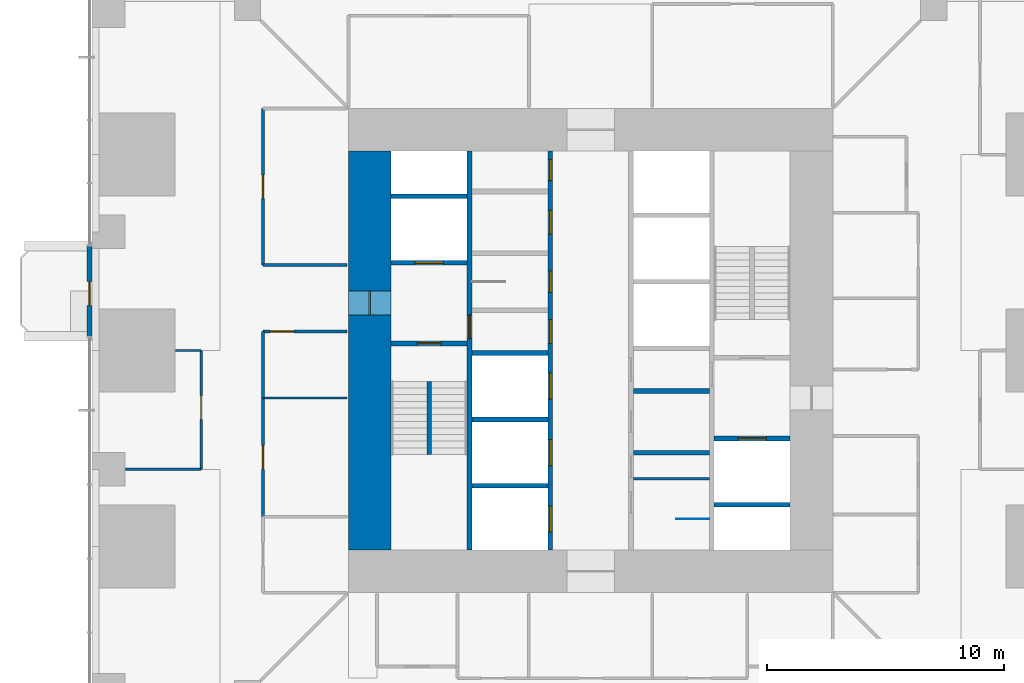
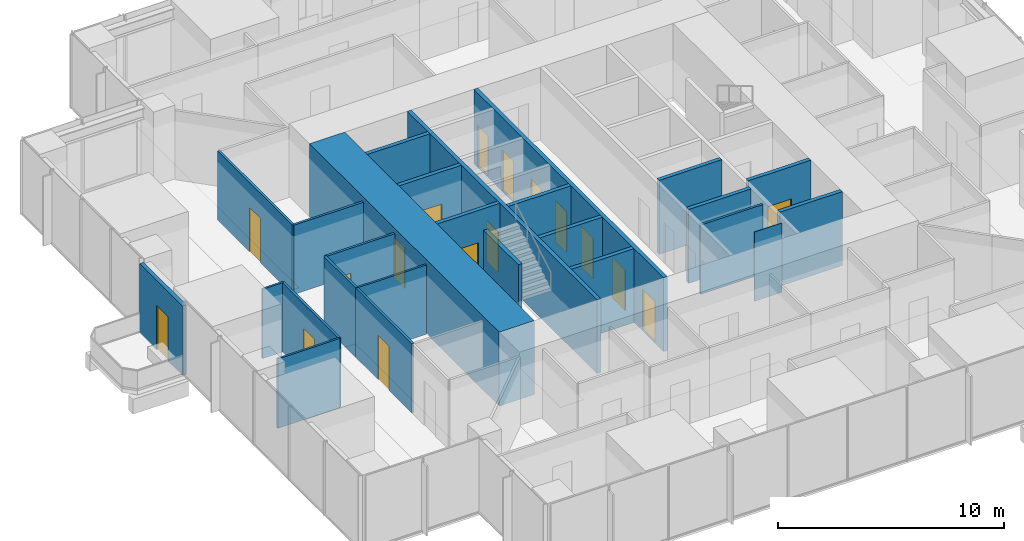
# One storey, part 10 of 16: 26 walls, 17 doors, 17 openings.
"""IFC4 building model written with IfcOpenShell, lengths in metres."""

import ifcopenshell
import ifcopenshell.guid

model = None  # the IFC model being written
_history = None  # IfcOwnerHistory: only IFC2X3 demands one
_inside = {}  # id of a spatial element -> (the spatial element, [elements in it])
_under = {}  # id of a project, library or spatial element -> (it, [spatial elements below it])
_declared = {}  # id of a project -> (the project, [libraries it declares])
_typed = {}  # id of a type object -> (the type object, [elements of that type])
_made_of = {}  # id of a material, layer set ... -> (it, [elements and type objects made of it])


def new_model(schema):
    """Start an empty IFC model of exactly this schema.

    Asked for "IFC4X3", IfcOpenShell would pick the latest addendum, in which some entities
    have other attributes; the version numbers below select the first issue.
    IFC2X3 requires an IfcOwnerHistory on every rooted entity: one is made here for all.
    """
    global model, _history
    if schema == "IFC4X3":
        model = ifcopenshell.file(schema_version=(4, 3, 0, 0))
    else:
        model = ifcopenshell.file(schema=schema)
    _inside.clear()
    _under.clear()
    _declared.clear()
    _typed.clear()
    _made_of.clear()
    _history = None
    if model.schema == "IFC2X3":
        org = make("IfcOrganization", Name="unknown")
        user = make(
            "IfcPersonAndOrganization",
            ThePerson=make("IfcPerson", FamilyName="unknown"),
            TheOrganization=org,
        )
        app = make(
            "IfcApplication",
            ApplicationDeveloper=org,
            Version="unknown",
            ApplicationFullName="unknown",
            ApplicationIdentifier="unknown",
        )
        _history = make(
            "IfcOwnerHistory",
            OwningUser=user,
            OwningApplication=app,
            ChangeAction="ADDED",
            CreationDate=0,
        )
    return model


def make(cls, **values):
    """One entity of the class cls with the attributes given. An attribute that is None is left unset."""
    return model.create_entity(
        cls, **{name: value for name, value in values.items() if value is not None}
    )


def rooted(cls, **values):
    """An entity with a GlobalId (a new one), such as an element, a storey or a relation."""
    return make(cls, GlobalId=ifcopenshell.guid.new(), OwnerHistory=_history, **values)


def si_unit(unit_type, name, prefix=None):
    """IfcSIUnit, for example si_unit("LENGTHUNIT", "METRE", prefix="MILLI")."""
    return make("IfcSIUnit", UnitType=unit_type, Prefix=prefix, Name=name)


def assignment(units):
    """IfcUnitAssignment: the units of a project."""
    return None if units is None else make("IfcUnitAssignment", Units=units)


def point(xyz):
    """IfcCartesianPoint."""
    return None if xyz is None else make("IfcCartesianPoint", Coordinates=xyz)


def direction(xyz):
    """IfcDirection."""
    return None if xyz is None else make("IfcDirection", DirectionRatios=xyz)


def frame(location, z_axis=None, x_axis=None):
    """IfcAxis2Placement3D, a coordinate frame: its origin and axes. An axis left out is left unset."""
    return make(
        "IfcAxis2Placement3D",
        Location=point(location),
        Axis=direction(z_axis),
        RefDirection=direction(x_axis),
    )


def frame_2d(location, x_axis=None):
    """IfcAxis2Placement2D, a coordinate frame in the plane: its origin and x axis."""
    return make(
        "IfcAxis2Placement2D", Location=point(location), RefDirection=direction(x_axis)
    )


def origin():
    """The frame at (0, 0, 0) with its axes left unset."""
    return frame((0.0, 0.0, 0.0))


def place(relative_to, where):
    """IfcLocalPlacement: puts the frame where relative to a parent placement (None: the world)."""
    return make(
        "IfcLocalPlacement", PlacementRelTo=relative_to, RelativePlacement=where
    )


def context(
    kind, dimensions, precision=None, world=None, true_north=None, identifier=None
):
    """IfcGeometricRepresentationContext, for example the 3D "Model" context."""
    return make(
        "IfcGeometricRepresentationContext",
        ContextIdentifier=identifier,
        ContextType=kind,
        CoordinateSpaceDimension=dimensions,
        Precision=precision,
        WorldCoordinateSystem=world,
        TrueNorth=true_north,
    )


def subcontext(parent, identifier, kind, view, scale=None):
    """IfcGeometricRepresentationSubContext, for example "Body" below "Model"."""
    return make(
        "IfcGeometricRepresentationSubContext",
        ContextIdentifier=identifier,
        ContextType=kind,
        ParentContext=parent,
        TargetScale=scale,
        TargetView=view,
    )


def project(units=None, contexts=None):
    """IfcProject with its units and contexts."""
    return rooted(
        "IfcProject",
        Name="project",
        RepresentationContexts=contexts,
        UnitsInContext=assignment(units),
    )


def spatial(cls, under=None, at=None, **own):
    """A site, building, storey or space (cls), placed at a placement, below another one or the project."""
    s = rooted(cls, ObjectPlacement=at, **own)
    if under is not None:
        _under.setdefault(under.id(), (under, []))[1].append(s)
    return s


def profile(cls, at=None, kind="AREA", **sizes):
    """A parametric profile (cls). Its sizes go by their IFC names, for example OverallWidth=200.0."""
    return make(cls, ProfileType=kind, Position=at, **sizes)


def rectangle(**sizes):
    """IfcRectangleProfileDef."""
    return profile("IfcRectangleProfileDef", **sizes)


def extrude(swept, where, along, depth):
    """IfcExtrudedAreaSolid: the profile swept, set in the frame where, extruded along a direction by depth."""
    return make(
        "IfcExtrudedAreaSolid",
        SweptArea=swept,
        Position=where,
        ExtrudedDirection=direction(along),
        Depth=depth,
    )


def shape(context_of_items, identifier, shape_type, items):
    """IfcShapeRepresentation: the items that make up one representation, for example the "Body"."""
    return make(
        "IfcShapeRepresentation",
        ContextOfItems=context_of_items,
        RepresentationIdentifier=identifier,
        RepresentationType=shape_type,
        Items=items,
    )


def material(Name=None, Category=None):
    """IfcMaterial."""
    return make("IfcMaterial", Name=Name, Category=Category)


def layer(
    of_material, thickness, ventilated=None, Name=None, Category=None, Priority=None
):
    """IfcMaterialLayer: one layer of a wall or slab, of a material (None: an air gap)."""
    return make(
        "IfcMaterialLayer",
        Material=of_material,
        LayerThickness=thickness,
        IsVentilated=ventilated,
        Name=Name,
        Category=Category,
        Priority=Priority,
    )


def layer_set(layers, Name=None):
    """IfcMaterialLayerSet."""
    return make("IfcMaterialLayerSet", MaterialLayers=layers, LayerSetName=Name)


def made_of(thing, what):
    """Note that an element or type object is made of a material, layer set ...; save() writes the relation."""
    if what is not None:
        _made_of.setdefault(what.id(), (what, []))[1].append(thing)
    return thing


def type_object(cls, material=None, **own):
    """A type object (cls), such as IfcWallType, which elements share."""
    return made_of(rooted(cls, **own), material)


def element(
    cls,
    number,
    at=None,
    inside=None,
    cuts=None,
    type_object=None,
    material=None,
    context=None,
    identifier="Body",
    shape_type=None,
    held_by="IfcProductDefinitionShape",
    body=None,
    shapes=None,
    **own,
):
    """One element of the class cls, such as IfcWall. Its Tag is "e" and its number.

    at: its placement. inside: the storey or other place that contains it. cuts: it is an
    opening in that element (IfcRelVoidsElement). A single representation is given by context,
    identifier, shape_type and body (its items); several are given by shapes. held_by: the class
    of the entity that holds the representations. save() writes the other relations.
    """
    e = rooted(cls, Tag="e%d" % number, ObjectPlacement=at, **own)
    if body is not None:
        shapes = [shape(context, identifier, shape_type, body)]
    if shapes is not None:
        e.Representation = make(held_by, Representations=shapes)
    if inside is not None:
        _inside.setdefault(inside.id(), (inside, []))[1].append(e)
    if cuts is not None:
        rooted(
            "IfcRelVoidsElement", RelatingBuildingElement=cuts, RelatedOpeningElement=e
        )
    if type_object is not None:
        _typed.setdefault(type_object.id(), (type_object, []))[1].append(e)
    return made_of(e, material)


def fill(opening, filler):
    """IfcRelFillsElement: the door or window that sits in an opening."""
    return rooted(
        "IfcRelFillsElement",
        RelatingOpeningElement=opening,
        RelatedBuildingElement=filler,
    )


def aggregate(whole, parts):
    """IfcRelAggregates: a whole, such as a stair, and the parts it consists of."""
    return rooted("IfcRelAggregates", RelatingObject=whole, RelatedObjects=parts)


def save(model, path):
    """Write the relations noted so far, then the file.

    IfcRelAggregates (storeys below a building ...), IfcRelContainedInSpatialStructure (elements
    in a storey), IfcRelDefinesByType, IfcRelAssociatesMaterial and IfcRelDeclares: one each for
    every whole, place, type object, material and project.
    """
    for whole, parts in _under.values():
        aggregate(whole, parts)
    for where, things in _inside.values():
        rooted(
            "IfcRelContainedInSpatialStructure",
            RelatedElements=things,
            RelatingStructure=where,
        )
    for kind, things in _typed.values():
        rooted("IfcRelDefinesByType", RelatedObjects=things, RelatingType=kind)
    for what, things in _made_of.values():
        rooted("IfcRelAssociatesMaterial", RelatedObjects=things, RelatingMaterial=what)
    for by, libraries in _declared.values():
        rooted("IfcRelDeclares", RelatingContext=by, RelatedDefinitions=libraries)
    model.write(path)


model = new_model("IFC4")

# Units and contexts
model_context = context("Model", 3, precision=1e-05, world=origin(), true_north=direction((0.0, 1.0)))
body_context = subcontext(model_context, "Body", "Model", "MODEL_VIEW")
ifc_project = project(units=[si_unit("LENGTHUNIT", "METRE"), si_unit("AREAUNIT", "SQUARE_METRE"), si_unit("VOLUMEUNIT", "CUBIC_METRE"), si_unit("PLANEANGLEUNIT", "RADIAN"), si_unit("MASSUNIT", "GRAM", prefix="KILO")], contexts=[model_context])

# Site, building, storey
site_placement = place(None, origin())
site = spatial("IfcSite", under=ifc_project, at=site_placement, CompositionType="ELEMENT")
building_placement = place(site_placement, origin())
building = spatial("IfcBuilding", under=site, at=building_placement, Name="Svetlomir Tower", CompositionType="ELEMENT")
storey_placement = place(building_placement, frame((0.0, 0.0, 58.5)))
storey = spatial("IfcBuildingStorey", under=building, at=storey_placement, Name="L13", CompositionType="ELEMENT", Elevation=58.5)

# Wall, opening, door
ifc_material_1 = material(Name="Bronze anodised aluminium glazed screen", Category="aluminium")
ifc_layer_1 = layer(ifc_material_1, 0.199951171875)
ifc_layer_set_1 = layer_set([ifc_layer_1], Name="Bronze anodised aluminium glazed screen")
wall_type_1 = type_object("IfcWallType", Name="BALCONY SCREEN WALL 200", PredefinedType="USERDEFINED", material=ifc_layer_set_1)
wall_1_placement = place(storey_placement, frame((-0.10009765625, 25.39990234375, 0.0), z_axis=(0.0, 0.0, 1.0), x_axis=(0.0, -1.0, 0.0)))
wall_1 = element("IfcWall", 1, at=wall_1_placement, inside=storey, type_object=wall_type_1, Name="Balcony screen W", ObjectType="GLAZED SCREEN", PredefinedType="USERDEFINED", context=body_context, shape_type="SweptSolid", body=[
    extrude(rectangle(XDim=3.7998046875, YDim=0.199951171875, at=frame_2d((1.89990234375, 0.0))), origin(), (0.0, 0.0, 1.0), 3.75),
])
opening_1_placement = place(wall_1_placement, frame((1.5, 0.0, 0.0)))
opening_1 = element("IfcOpeningElement", 2, at=opening_1_placement, cuts=wall_1, Name="Opening BD", PredefinedType="OPENING", context=body_context, shape_type="SweptSolid", body=[
    extrude(rectangle(XDim=1.0, YDim=2.39990234375, at=frame_2d((0.5, 1.199951171875))), frame((0.0, 0.10986328125, 0.0), z_axis=(0.0, -1.0, 0.0), x_axis=(1.0, 0.0, 0.0)), (0.0, 0.0, 1.0), 0.219970703125),
])
ifc_material_2 = material(Name="Bronze anodised aluminium glazed door", Category="aluminium")
door_type_1 = type_object("IfcDoorType", Name="BALCONY DOOR BD 1000x2400", OperationType="SINGLE_SWING_LEFT", PredefinedType="DOOR", material=ifc_material_2)
door_1_placement = place(opening_1_placement, origin())
door_1 = element("IfcDoor", 3, at=door_1_placement, inside=storey, type_object=door_type_1, Name="Balcony screen W door", OperationType="SINGLE_SWING_LEFT", OverallHeight=2.39990234375, OverallWidth=1.0, PredefinedType="DOOR", context=body_context, shape_type="SweptSolid", body=[
    extrude(rectangle(XDim=1.0, YDim=2.39990234375, at=frame_2d((0.5, 1.199951171875))), frame((0.0, 0.02490234375, 0.0), z_axis=(0.0, -1.0, 0.0), x_axis=(1.0, 0.0, 0.0)), (0.0, 0.0, 1.0), 0.050048828125),
])
fill(opening_1, door_1)

ifc_material_3 = material(Name="Concrete C60/75", Category="concrete")
ifc_layer_2 = layer(ifc_material_3, 0.199951171875)
ifc_layer_set_2 = layer_set([ifc_layer_2], Name="Concrete C60/75")
wall_type_2 = type_object("IfcWallType", Name="CORE INNER WALL 200", PredefinedType="SHEAR", material=ifc_layer_set_2)
wall_2_placement = place(storey_placement, frame((15.89990234375, 12.60009765625, -0.050048828125), z_axis=(0.0, 0.0, 1.0), x_axis=(0.0, 1.0, 0.0)))
wall_2 = element("IfcWall", 4, at=wall_2_placement, inside=storey, type_object=wall_type_2, Name="Core inner wall 15.9 L13", PredefinedType="SHEAR", context=body_context, shape_type="SweptSolid", body=[
    extrude(rectangle(XDim=16.7998046875, YDim=0.199951171875, at=frame_2d((8.39990234375, 0.0))), origin(), (0.0, 0.0, 1.0), 4.0),
])
opening_2_placement = place(wall_2_placement, frame((8.89990234375, 0.0, 0.050048828125)))
opening_2 = element("IfcOpeningElement", 5, at=opening_2_placement, cuts=wall_2, Name="Opening DF", PredefinedType="OPENING", context=body_context, shape_type="SweptSolid", body=[
    extrude(rectangle(XDim=1.0, YDim=2.199951171875, at=frame_2d((0.5, 1.10009765625))), frame((0.0, 0.10986328125, 0.0), z_axis=(0.0, -1.0, 0.0), x_axis=(1.0, 0.0, 0.0)), (0.0, 0.0, 1.0), 0.219970703125),
])
ifc_material_4 = material(Name="Steel fire door", Category="steel")
door_type_2 = type_object("IfcDoorType", Name="DOOR DF 1000x2200", OperationType="SINGLE_SWING_LEFT", PredefinedType="DOOR", material=ifc_material_4)
door_2_placement = place(opening_2_placement, origin())
door_2 = element("IfcDoor", 6, at=door_2_placement, inside=storey, type_object=door_type_2, Name="Core corridor west door L13", OperationType="SINGLE_SWING_LEFT", OverallHeight=2.199951171875, OverallWidth=1.0, PredefinedType="DOOR", context=body_context, shape_type="SweptSolid", body=[
    extrude(rectangle(XDim=1.0, YDim=2.199951171875, at=frame_2d((0.5, 1.10009765625))), frame((0.0, 0.02490234375, 0.0), z_axis=(0.0, -1.0, 0.0), x_axis=(1.0, 0.0, 0.0)), (0.0, 0.0, 1.0), 0.050048828125),
])
fill(opening_2, door_2)

# Wall, openings, doors
wall_3_placement = place(storey_placement, frame((19.300048828125, 12.60009765625, -0.050048828125), z_axis=(0.0, 0.0, 1.0), x_axis=(0.0, 1.0, 0.0)))
wall_3 = element("IfcWall", 7, at=wall_3_placement, inside=storey, type_object=wall_type_2, Name="Core inner wall 19.3 L13", PredefinedType="SHEAR", context=body_context, shape_type="SweptSolid", body=[
    extrude(rectangle(XDim=16.7998046875, YDim=0.199951171875, at=frame_2d((8.39990234375, 0.0))), origin(), (0.0, 0.0, 1.0), 4.0),
])
opening_3_placement = place(wall_3_placement, frame((8.699951171875, 0.0, 0.050048828125)))
opening_3 = element("IfcOpeningElement", 8, at=opening_3_placement, cuts=wall_3, Name="Opening DC", PredefinedType="OPENING", context=body_context, shape_type="SweptSolid", body=[
    extrude(rectangle(XDim=1.0, YDim=2.199951171875, at=frame_2d((0.5, 1.10009765625))), frame((0.0, 0.10986328125, 0.0), z_axis=(0.0, -1.0, 0.0), x_axis=(1.0, 0.0, 0.0)), (0.0, 0.0, 1.0), 0.219970703125),
])
opening_4_placement = place(wall_3_placement, frame((10.85009765625, 0.0, 0.050048828125)))
opening_4 = element("IfcOpeningElement", 9, at=opening_4_placement, cuts=wall_3, Name="Opening DW", PredefinedType="OPENING", context=body_context, shape_type="SweptSolid", body=[
    extrude(rectangle(XDim=0.89990234375, YDim=2.199951171875, at=frame_2d((0.449951171875, 1.10009765625))), frame((0.0, 0.10986328125, 0.0), z_axis=(0.0, -1.0, 0.0), x_axis=(1.0, 0.0, 0.0)), (0.0, 0.0, 1.0), 0.219970703125),
])
opening_5_placement = place(wall_3_placement, frame((13.300048828125, 0.0, 0.050048828125)))
opening_5 = element("IfcOpeningElement", 10, at=opening_5_placement, cuts=wall_3, Name="Opening DC", PredefinedType="OPENING", context=body_context, shape_type="SweptSolid", body=[
    extrude(rectangle(XDim=1.0, YDim=2.199951171875, at=frame_2d((0.5, 1.10009765625))), frame((0.0, 0.10986328125, 0.0), z_axis=(0.0, -1.0, 0.0), x_axis=(1.0, 0.0, 0.0)), (0.0, 0.0, 1.0), 0.219970703125),
])
opening_6_placement = place(wall_3_placement, frame((15.550048828125, 0.0, 0.050048828125)))
opening_6 = element("IfcOpeningElement", 11, at=opening_6_placement, cuts=wall_3, Name="Opening DW", PredefinedType="OPENING", context=body_context, shape_type="SweptSolid", body=[
    extrude(rectangle(XDim=0.89990234375, YDim=2.199951171875, at=frame_2d((0.449951171875, 1.10009765625))), frame((0.0, 0.10986328125, 0.0), z_axis=(0.0, -1.0, 0.0), x_axis=(1.0, 0.0, 0.0)), (0.0, 0.0, 1.0), 0.219970703125),
])
opening_7_placement = place(wall_3_placement, frame((0.75, 0.0, 0.050048828125)))
opening_7 = element("IfcOpeningElement", 12, at=opening_7_placement, cuts=wall_3, Name="Opening LD", PredefinedType="OPENING", context=body_context, shape_type="SweptSolid", body=[
    extrude(rectangle(XDim=1.10009765625, YDim=2.199951171875, at=frame_2d((0.550048828125, 1.10009765625))), frame((0.0, 0.10986328125, 0.0), z_axis=(0.0, -1.0, 0.0), x_axis=(1.0, 0.0, 0.0)), (0.0, 0.0, 1.0), 0.219970703125),
])
opening_8_placement = place(wall_3_placement, frame((3.550048828125, 0.0, 0.050048828125)))
opening_8 = element("IfcOpeningElement", 13, at=opening_8_placement, cuts=wall_3, Name="Opening LD", PredefinedType="OPENING", context=body_context, shape_type="SweptSolid", body=[
    extrude(rectangle(XDim=1.10009765625, YDim=2.199951171875, at=frame_2d((0.550048828125, 1.10009765625))), frame((0.0, 0.10986328125, 0.0), z_axis=(0.0, -1.0, 0.0), x_axis=(1.0, 0.0, 0.0)), (0.0, 0.0, 1.0), 0.219970703125),
])
opening_9_placement = place(wall_3_placement, frame((6.35009765625, 0.0, 0.050048828125)))
opening_9 = element("IfcOpeningElement", 14, at=opening_9_placement, cuts=wall_3, Name="Opening LD", PredefinedType="OPENING", context=body_context, shape_type="SweptSolid", body=[
    extrude(rectangle(XDim=1.10009765625, YDim=2.199951171875, at=frame_2d((0.550048828125, 1.10009765625))), frame((0.0, 0.10986328125, 0.0), z_axis=(0.0, -1.0, 0.0), x_axis=(1.0, 0.0, 0.0)), (0.0, 0.0, 1.0), 0.219970703125),
])
ifc_material_5 = material(Name="Timber fire door", Category="wood")
door_type_3 = type_object("IfcDoorType", Name="DOOR DC 1000x2200", OperationType="SINGLE_SWING_LEFT", PredefinedType="DOOR", material=ifc_material_5)
door_3_placement = place(opening_3_placement, origin())
door_3 = element("IfcDoor", 15, at=door_3_placement, inside=storey, type_object=door_type_3, Name="Core corridor west lobby door L13", OperationType="SINGLE_SWING_RIGHT", OverallHeight=2.199951171875, OverallWidth=1.0, PredefinedType="DOOR", context=body_context, shape_type="SweptSolid", body=[
    extrude(rectangle(XDim=1.0, YDim=2.199951171875, at=frame_2d((0.5, 1.10009765625))), frame((0.0, 0.02490234375, 0.0), z_axis=(0.0, -1.0, 0.0), x_axis=(1.0, 0.0, 0.0)), (0.0, 0.0, 1.0), 0.050048828125),
])
fill(opening_3, door_3)
door_4_placement = place(opening_5_placement, origin())
door_4 = element("IfcDoor", 16, at=door_4_placement, inside=storey, type_object=door_type_3, Name="Accessible WC door L13", OperationType="SINGLE_SWING_LEFT", OverallHeight=2.199951171875, OverallWidth=1.0, PredefinedType="DOOR", context=body_context, shape_type="SweptSolid", body=[
    extrude(rectangle(XDim=1.0, YDim=2.199951171875, at=frame_2d((0.5, 1.10009765625))), frame((0.0, 0.02490234375, 0.0), z_axis=(0.0, -1.0, 0.0), x_axis=(1.0, 0.0, 0.0)), (0.0, 0.0, 1.0), 0.050048828125),
])
fill(opening_5, door_4)
ifc_material_6 = material(Name="Timber fire door", Category="wood")
door_type_4 = type_object("IfcDoorType", Name="DOOR DW 900x2200", OperationType="SINGLE_SWING_LEFT", PredefinedType="DOOR", material=ifc_material_6)
door_5_placement = place(opening_4_placement, origin())
door_5 = element("IfcDoor", 17, at=door_5_placement, inside=storey, type_object=door_type_4, Name="Female WC door L13", OperationType="SINGLE_SWING_RIGHT", OverallHeight=2.199951171875, OverallWidth=0.89990234375, PredefinedType="DOOR", context=body_context, shape_type="SweptSolid", body=[
    extrude(rectangle(XDim=0.89990234375, YDim=2.199951171875, at=frame_2d((0.449951171875, 1.10009765625))), frame((0.0, 0.02490234375, 0.0), z_axis=(0.0, -1.0, 0.0), x_axis=(1.0, 0.0, 0.0)), (0.0, 0.0, 1.0), 0.050048828125),
])
fill(opening_4, door_5)
door_6_placement = place(opening_6_placement, origin())
door_6 = element("IfcDoor", 18, at=door_6_placement, inside=storey, type_object=door_type_4, Name="Tea point door L13", OperationType="SINGLE_SWING_RIGHT", OverallHeight=2.199951171875, OverallWidth=0.89990234375, PredefinedType="DOOR", context=body_context, shape_type="SweptSolid", body=[
    extrude(rectangle(XDim=0.89990234375, YDim=2.199951171875, at=frame_2d((0.449951171875, 1.10009765625))), frame((0.0, 0.02490234375, 0.0), z_axis=(0.0, -1.0, 0.0), x_axis=(1.0, 0.0, 0.0)), (0.0, 0.0, 1.0), 0.050048828125),
])
fill(opening_6, door_6)
ifc_material_7 = material(Name="Stainless steel landing door", Category="steel")
door_type_5 = type_object("IfcDoorType", Name="LIFT LANDING DOOR LD 1100x2200", OperationType="DOUBLE_DOOR_SLIDING", PredefinedType="DOOR", material=ifc_material_7)
door_7_placement = place(opening_7_placement, origin())
door_7 = element("IfcDoor", 19, at=door_7_placement, inside=storey, type_object=door_type_5, Name="Landing door lift LA1 L13", OperationType="DOUBLE_DOOR_SLIDING", OverallHeight=2.199951171875, OverallWidth=1.10009765625, PredefinedType="DOOR", context=body_context, shape_type="SweptSolid", body=[
    extrude(rectangle(XDim=1.10009765625, YDim=2.199951171875, at=frame_2d((0.550048828125, 1.10009765625))), frame((0.0, 0.02490234375, 0.0), z_axis=(0.0, -1.0, 0.0), x_axis=(1.0, 0.0, 0.0)), (0.0, 0.0, 1.0), 0.050048828125),
])
fill(opening_7, door_7)
door_8_placement = place(opening_8_placement, origin())
door_8 = element("IfcDoor", 20, at=door_8_placement, inside=storey, type_object=door_type_5, Name="Landing door lift LA2 L13", OperationType="DOUBLE_DOOR_SLIDING", OverallHeight=2.199951171875, OverallWidth=1.10009765625, PredefinedType="DOOR", context=body_context, shape_type="SweptSolid", body=[
    extrude(rectangle(XDim=1.10009765625, YDim=2.199951171875, at=frame_2d((0.550048828125, 1.10009765625))), frame((0.0, 0.02490234375, 0.0), z_axis=(0.0, -1.0, 0.0), x_axis=(1.0, 0.0, 0.0)), (0.0, 0.0, 1.0), 0.050048828125),
])
fill(opening_8, door_8)
door_9_placement = place(opening_9_placement, origin())
door_9 = element("IfcDoor", 21, at=door_9_placement, inside=storey, type_object=door_type_5, Name="Landing door lift LA3 L13", OperationType="DOUBLE_DOOR_SLIDING", OverallHeight=2.199951171875, OverallWidth=1.10009765625, PredefinedType="DOOR", context=body_context, shape_type="SweptSolid", body=[
    extrude(rectangle(XDim=1.10009765625, YDim=2.199951171875, at=frame_2d((0.550048828125, 1.10009765625))), frame((0.0, 0.02490234375, 0.0), z_axis=(0.0, -1.0, 0.0), x_axis=(1.0, 0.0, 0.0)), (0.0, 0.0, 1.0), 0.050048828125),
])
fill(opening_9, door_9)

# Wall, opening, door
wall_4_placement = place(storey_placement, frame((12.60009765625, 21.300048828125, -0.050048828125), z_axis=(0.0, 0.0, 1.0), x_axis=(1.0, 0.0, 0.0)))
wall_4 = element("IfcWall", 22, at=wall_4_placement, inside=storey, type_object=wall_type_2, Name="Core inner wall 12.6-15.8/21.3 L13", PredefinedType="SHEAR", context=body_context, shape_type="SweptSolid", body=[
    extrude(rectangle(XDim=3.199951171875, YDim=0.199951171875, at=frame_2d((1.60009765625, 0.0))), origin(), (0.0, 0.0, 1.0), 4.0),
])
opening_10_placement = place(wall_4_placement, frame((1.10009765625, 0.0, 0.050048828125)))
opening_10 = element("IfcOpeningElement", 23, at=opening_10_placement, cuts=wall_4, Name="Opening DF", PredefinedType="OPENING", context=body_context, shape_type="SweptSolid", body=[
    extrude(rectangle(XDim=1.0, YDim=2.199951171875, at=frame_2d((0.5, 1.10009765625))), frame((0.0, 0.10986328125, 0.0), z_axis=(0.0, -1.0, 0.0), x_axis=(1.0, 0.0, 0.0)), (0.0, 0.0, 1.0), 0.219970703125),
])
door_10_placement = place(opening_10_placement, origin())
door_10 = element("IfcDoor", 24, at=door_10_placement, inside=storey, type_object=door_type_2, Name="Stair S1 door L13", OperationType="SINGLE_SWING_RIGHT", OverallHeight=2.199951171875, OverallWidth=1.0, PredefinedType="DOOR", context=body_context, shape_type="SweptSolid", body=[
    extrude(rectangle(XDim=1.0, YDim=2.199951171875, at=frame_2d((0.5, 1.10009765625))), frame((0.0, 0.02490234375, 0.0), z_axis=(0.0, -1.0, 0.0), x_axis=(1.0, 0.0, 0.0)), (0.0, 0.0, 1.0), 0.050048828125),
])
fill(opening_10, door_10)

wall_5_placement = place(storey_placement, frame((12.60009765625, 24.699951171875, -0.050048828125), z_axis=(0.0, 0.0, 1.0), x_axis=(1.0, 0.0, 0.0)))
wall_5 = element("IfcWall", 25, at=wall_5_placement, inside=storey, type_object=wall_type_2, Name="Core inner wall 12.6-15.8/24.7 L13", PredefinedType="SHEAR", context=body_context, shape_type="SweptSolid", body=[
    extrude(rectangle(XDim=3.199951171875, YDim=0.199951171875, at=frame_2d((1.60009765625, 0.0))), origin(), (0.0, 0.0, 1.0), 4.0),
])
opening_11_placement = place(wall_5_placement, frame((1.0, 0.0, 0.050048828125)))
opening_11 = element("IfcOpeningElement", 26, at=opening_11_placement, cuts=wall_5, Name="Opening LD3", PredefinedType="OPENING", context=body_context, shape_type="SweptSolid", body=[
    extrude(rectangle(XDim=1.199951171875, YDim=2.199951171875, at=frame_2d((0.60009765625, 1.10009765625))), frame((0.0, 0.10986328125, 0.0), z_axis=(0.0, -1.0, 0.0), x_axis=(1.0, 0.0, 0.0)), (0.0, 0.0, 1.0), 0.219970703125),
])
ifc_material_8 = material(Name="Stainless steel fire-rated landing door", Category="steel")
door_type_6 = type_object("IfcDoorType", Name="FIREFIGHTING LIFT LANDING DOOR LD3 1200x2200", OperationType="DOUBLE_DOOR_SLIDING", PredefinedType="DOOR", material=ifc_material_8)
door_11_placement = place(opening_11_placement, origin())
door_11 = element("IfcDoor", 27, at=door_11_placement, inside=storey, type_object=door_type_6, Name="Landing door lift FL1 L13", OperationType="DOUBLE_DOOR_SLIDING", OverallHeight=2.199951171875, OverallWidth=1.199951171875, PredefinedType="DOOR", context=body_context, shape_type="SweptSolid", body=[
    extrude(rectangle(XDim=1.199951171875, YDim=2.199951171875, at=frame_2d((0.60009765625, 1.10009765625))), frame((0.0, 0.02490234375, 0.0), z_axis=(0.0, -1.0, 0.0), x_axis=(1.0, 0.0, 0.0)), (0.0, 0.0, 1.0), 0.050048828125),
])
fill(opening_11, door_11)

# Walls
for number, where, z_axis, x_axis, name in (
    (28, (12.60009765625, 27.5, -0.050048828125), (0.0, 0.0, 1.0), (1.0, 0.0, 0.0), "Core inner wall 12.6-15.8/27.5 L13"),
    (29, (16.0, 15.300048828125, -0.050048828125), (0.0, 0.0, 1.0), (1.0, 0.0, 0.0), "Core inner wall 16-19.2/15.3 L13"),
    (30, (16.0, 18.10009765625, -0.050048828125), (0.0, 0.0, 1.0), (1.0, 0.0, 0.0), "Core inner wall 16-19.2/18.1 L13"),
    (31, (16.0, 20.89990234375, -0.050048828125), (0.0, 0.0, 1.0), (1.0, 0.0, 0.0), "Core inner wall 16-19.2/20.9 L13"),
    (32, (22.800048828125, 16.699951171875, -0.050048828125), (0.0, 0.0, 1.0), (1.0, 0.0, 0.0), "Core inner wall 22.8-26/16.7 L13"),
    (33, (22.800048828125, 19.300048828125, -0.050048828125), (0.0, 0.0, 1.0), (1.0, 0.0, 0.0), "Core inner wall 22.8-26/19.3 L13"),
    (34, (26.199951171875, 14.5, -0.050048828125), (0.0, 0.0, 1.0), (1.0, 0.0, 0.0), "Core inner wall 26.2-29.4/14.5 L13"),
):
    element("IfcWall", number, at=place(storey_placement, frame(where, z_axis=z_axis, x_axis=x_axis)), inside=storey, type_object=wall_type_2, Name=name, PredefinedType="SHEAR", context=body_context, shape_type="SweptSolid", body=[
        extrude(rectangle(XDim=3.199951171875, YDim=0.199951171875, at=frame_2d((1.60009765625, 0.0))), origin(), (0.0, 0.0, 1.0), 4.0),
    ])

# Wall, opening, door
wall_6_placement = place(storey_placement, frame((26.199951171875, 17.300048828125, -0.050048828125), z_axis=(0.0, 0.0, 1.0), x_axis=(1.0, 0.0, 0.0)))
wall_6 = element("IfcWall", 35, at=wall_6_placement, inside=storey, type_object=wall_type_2, Name="Core inner wall 26.2-29.4/17.3 L13", PredefinedType="SHEAR", context=body_context, shape_type="SweptSolid", body=[
    extrude(rectangle(XDim=3.199951171875, YDim=0.199951171875, at=frame_2d((1.60009765625, 0.0))), origin(), (0.0, 0.0, 1.0), 4.0),
])
opening_12_placement = place(wall_6_placement, frame((1.0, 0.0, 0.050048828125)))
opening_12 = element("IfcOpeningElement", 36, at=opening_12_placement, cuts=wall_6, Name="Opening LD3", PredefinedType="OPENING", context=body_context, shape_type="SweptSolid", body=[
    extrude(rectangle(XDim=1.199951171875, YDim=2.199951171875, at=frame_2d((0.60009765625, 1.10009765625))), frame((0.0, 0.10986328125, 0.0), z_axis=(0.0, -1.0, 0.0), x_axis=(1.0, 0.0, 0.0)), (0.0, 0.0, 1.0), 0.219970703125),
])
door_12_placement = place(opening_12_placement, origin())
door_12 = element("IfcDoor", 37, at=door_12_placement, inside=storey, type_object=door_type_6, Name="Landing door lift FL2 L13", OperationType="DOUBLE_DOOR_SLIDING", OverallHeight=2.199951171875, OverallWidth=1.199951171875, PredefinedType="DOOR", context=body_context, shape_type="SweptSolid", body=[
    extrude(rectangle(XDim=1.199951171875, YDim=2.199951171875, at=frame_2d((0.60009765625, 1.10009765625))), frame((0.0, 0.02490234375, 0.0), z_axis=(0.0, -1.0, 0.0), x_axis=(1.0, 0.0, 0.0)), (0.0, 0.0, 1.0), 0.050048828125),
])
fill(opening_12, door_12)

ifc_material_9 = material(Name="Concrete C60/75", Category="concrete")
ifc_layer_3 = layer(ifc_material_9, 1.800048828125)
ifc_layer_set_3 = layer_set([ifc_layer_3], Name="Concrete C60/75")
wall_type_3 = type_object("IfcWallType", Name="CORE WALL 1800", PredefinedType="SHEAR", material=ifc_layer_set_3)
wall_7_placement = place(storey_placement, frame((11.699951171875, 12.60009765625, -0.050048828125), z_axis=(0.0, 0.0, 1.0), x_axis=(0.0, 1.0, 0.0)))
wall_7 = element("IfcWall", 38, at=wall_7_placement, inside=storey, type_object=wall_type_3, Name="Core wall west L13", PredefinedType="SHEAR", context=body_context, shape_type="SweptSolid", body=[
    extrude(rectangle(XDim=16.7998046875, YDim=1.800048828125, at=frame_2d((8.39990234375, 0.0))), origin(), (0.0, 0.0, 1.0), 4.0),
])
opening_13_placement = place(wall_7_placement, frame((9.89990234375, 0.0, 0.050048828125)))
opening_13 = element("IfcOpeningElement", 39, at=opening_13_placement, cuts=wall_7, Name="Opening DF", PredefinedType="OPENING", context=body_context, shape_type="SweptSolid", body=[
    extrude(rectangle(XDim=1.0, YDim=2.199951171875, at=frame_2d((0.5, 1.10009765625))), frame((0.0, 0.91015625, 0.0), z_axis=(0.0, -1.0, 0.0), x_axis=(1.0, 0.0, 0.0)), (0.0, 0.0, 1.0), 1.820068359375),
])
door_13_placement = place(opening_13_placement, origin())
door_13 = element("IfcDoor", 40, at=door_13_placement, inside=storey, type_object=door_type_2, Name="Firefighting lobby west door L13", OperationType="SINGLE_SWING_RIGHT", OverallHeight=2.199951171875, OverallWidth=1.0, PredefinedType="DOOR", context=body_context, shape_type="SweptSolid", body=[
    extrude(rectangle(XDim=1.0, YDim=2.199951171875, at=frame_2d((0.5, 1.10009765625))), frame((0.0, 0.02490234375, 0.0), z_axis=(0.0, -1.0, 0.0), x_axis=(1.0, 0.0, 0.0)), (0.0, 0.0, 1.0), 0.050048828125),
])
fill(opening_13, door_13)

# Walls
ifc_material_10 = material(Name="Framed laminated glass partition", Category="glass")
ifc_layer_4 = layer(ifc_material_10, 0.10009765625)
ifc_layer_set_4 = layer_set([ifc_layer_4], Name="Framed laminated glass partition")
wall_type_4 = type_object("IfcWallType", Name="GLAZED PARTITION 100", PredefinedType="PARTITIONING", material=ifc_layer_set_4)
wall_8_placement = place(storey_placement, frame((1.409912109375, 16.0, 0.0), z_axis=(0.0, 0.0, 1.0), x_axis=(1.0, 0.0, 0.0)))
element("IfcWall", 41, at=wall_8_placement, inside=storey, type_object=wall_type_4, Name="Glazed partition L13", PredefinedType="PARTITIONING", context=body_context, shape_type="SweptSolid", body=[
    extrude(rectangle(XDim=3.190185546875, YDim=0.10009765625, at=frame_2d((1.59521484375, 0.0))), origin(), (0.0, 0.0, 1.0), 3.75),
])
wall_9_placement = place(storey_placement, frame((3.510009765625, 21.0, 0.0), z_axis=(0.0, 0.0, 1.0), x_axis=(1.0, 0.0, 0.0)))
element("IfcWall", 42, at=wall_9_placement, inside=storey, type_object=wall_type_4, Name="Glazed partition L13", PredefinedType="PARTITIONING", context=body_context, shape_type="SweptSolid", body=[
    extrude(rectangle(XDim=1.090087890625, YDim=0.10009765625, at=frame_2d((0.544921875, 0.0))), origin(), (0.0, 0.0, 1.0), 3.75),
])
wall_10_placement = place(storey_placement, frame((7.199951171875, 19.0, 0.0), z_axis=(0.0, 0.0, 1.0), x_axis=(1.0, 0.0, 0.0)))
element("IfcWall", 43, at=wall_10_placement, inside=storey, type_object=wall_type_4, Name="Glazed partition L13", PredefinedType="PARTITIONING", context=body_context, shape_type="SweptSolid", body=[
    extrude(rectangle(XDim=3.550048828125, YDim=0.10009765625, at=frame_2d((1.77490234375, 0.0))), origin(), (0.0, 0.0, 1.0), 3.75),
])
ifc_material_11 = material(Name="Gypsum board on steel studs", Category="steel")
ifc_layer_5 = layer(ifc_material_11, 0.1201171875)
ifc_layer_set_5 = layer_set([ifc_layer_5], Name="Gypsum board on steel studs")
wall_type_5 = type_object("IfcWallType", Name="PARTITION 120", PredefinedType="PARTITIONING", material=ifc_layer_set_5)
wall_11_placement = place(storey_placement, frame((22.800048828125, 15.60009765625, 0.0), z_axis=(0.0, 0.0, 1.0), x_axis=(1.0, 0.0, 0.0)))
element("IfcWall", 44, at=wall_11_placement, inside=storey, type_object=wall_type_5, Name="Shower room partition L13", PredefinedType="PARTITIONING", context=body_context, shape_type="SweptSolid", body=[
    extrude(rectangle(XDim=3.199951171875, YDim=0.1201171875, at=frame_2d((1.60009765625, 0.0))), origin(), (0.0, 0.0, 1.0), 3.75),
])

# Wall, opening, door
wall_12_placement = place(storey_placement, frame((4.60009765625, 16.0, 0.0), z_axis=(0.0, 0.0, 1.0), x_axis=(0.0, 1.0, 0.0)))
wall_12 = element("IfcWall", 45, at=wall_12_placement, inside=storey, type_object=wall_type_5, Name="Partition L13", PredefinedType="PARTITIONING", context=body_context, shape_type="SweptSolid", body=[
    extrude(rectangle(XDim=5.0, YDim=0.1201171875, at=frame_2d((2.5, 0.0))), origin(), (0.0, 0.0, 1.0), 3.75),
])
opening_14_placement = place(wall_12_placement, frame((2.10009765625, 0.0, 0.0)))
opening_14 = element("IfcOpeningElement", 46, at=opening_14_placement, cuts=wall_12, Name="Opening DG", PredefinedType="OPENING", context=body_context, shape_type="SweptSolid", body=[
    extrude(rectangle(XDim=1.0, YDim=2.39990234375, at=frame_2d((0.5, 1.199951171875))), frame((0.0, 0.070068359375, 0.0), z_axis=(0.0, -1.0, 0.0), x_axis=(1.0, 0.0, 0.0)), (0.0, 0.0, 1.0), 0.14013671875),
])
ifc_material_12 = material(Name="Framed laminated glass door", Category="glass")
door_type_7 = type_object("IfcDoorType", Name="GLAZED DOOR DG 1000x2400", OperationType="SINGLE_SWING_LEFT", PredefinedType="DOOR", material=ifc_material_12)
door_14_placement = place(opening_14_placement, origin())
door_14 = element("IfcDoor", 47, at=door_14_placement, inside=storey, type_object=door_type_7, Name="Analytics lab door L13", OperationType="SINGLE_SWING_RIGHT", OverallHeight=2.39990234375, OverallWidth=1.0, PredefinedType="DOOR", context=body_context, shape_type="SweptSolid", body=[
    extrude(rectangle(XDim=1.0, YDim=2.39990234375, at=frame_2d((0.5, 1.199951171875))), frame((0.0, 0.02490234375, 0.0), z_axis=(0.0, -1.0, 0.0), x_axis=(1.0, 0.0, 0.0)), (0.0, 0.0, 1.0), 0.050048828125),
])
fill(opening_14, door_14)

wall_13_placement = place(storey_placement, frame((7.199951171875, 14.0, 0.0), z_axis=(0.0, 0.0, 1.0), x_axis=(0.0, 1.0, 0.0)))
wall_13 = element("IfcWall", 48, at=wall_13_placement, inside=storey, type_object=wall_type_5, Name="Partition L13", PredefinedType="PARTITIONING", context=body_context, shape_type="SweptSolid", body=[
    extrude(rectangle(XDim=5.0, YDim=0.1201171875, at=frame_2d((2.5, 0.0))), origin(), (0.0, 0.0, 1.0), 3.75),
])
opening_15_placement = place(wall_13_placement, frame((2.0, 0.0, 0.0)))
opening_15 = element("IfcOpeningElement", 49, at=opening_15_placement, cuts=wall_13, Name="Opening DG", PredefinedType="OPENING", context=body_context, shape_type="SweptSolid", body=[
    extrude(rectangle(XDim=1.0, YDim=2.39990234375, at=frame_2d((0.5, 1.199951171875))), frame((0.0, 0.070068359375, 0.0), z_axis=(0.0, -1.0, 0.0), x_axis=(1.0, 0.0, 0.0)), (0.0, 0.0, 1.0), 0.14013671875),
])
door_15_placement = place(opening_15_placement, origin())
door_15 = element("IfcDoor", 50, at=door_15_placement, inside=storey, type_object=door_type_7, Name="Meeting room, 8 seats door L13", OperationType="SINGLE_SWING_LEFT", OverallHeight=2.39990234375, OverallWidth=1.0, PredefinedType="DOOR", context=body_context, shape_type="SweptSolid", body=[
    extrude(rectangle(XDim=1.0, YDim=2.39990234375, at=frame_2d((0.5, 1.199951171875))), frame((0.0, 0.02490234375, 0.0), z_axis=(0.0, -1.0, 0.0), x_axis=(1.0, 0.0, 0.0)), (0.0, 0.0, 1.0), 0.050048828125),
])
fill(opening_15, door_15)

# Wall
wall_14_placement = place(storey_placement, frame((7.199951171875, 19.0, 0.0), z_axis=(0.0, 0.0, 1.0), x_axis=(0.0, 1.0, 0.0)))
element("IfcWall", 51, at=wall_14_placement, inside=storey, type_object=wall_type_5, Name="Partition L13", PredefinedType="PARTITIONING", context=body_context, shape_type="SweptSolid", body=[
    extrude(rectangle(XDim=2.800048828125, YDim=0.1201171875, at=frame_2d((1.39990234375, 0.0))), origin(), (0.0, 0.0, 1.0), 3.75),
])

# Wall, opening, door
wall_15_placement = place(storey_placement, frame((7.199951171875, 21.800048828125, 0.0), z_axis=(0.0, 0.0, 1.0), x_axis=(1.0, 0.0, 0.0)))
wall_15 = element("IfcWall", 52, at=wall_15_placement, inside=storey, type_object=wall_type_5, Name="Partition L13", PredefinedType="PARTITIONING", context=body_context, shape_type="SweptSolid", body=[
    extrude(rectangle(XDim=3.550048828125, YDim=0.1201171875, at=frame_2d((1.77490234375, 0.0))), origin(), (0.0, 0.0, 1.0), 3.75),
])
opening_16_placement = place(wall_15_placement, frame((0.300048828125, 0.0, 0.0)))
opening_16 = element("IfcOpeningElement", 53, at=opening_16_placement, cuts=wall_15, Name="Opening DG", PredefinedType="OPENING", context=body_context, shape_type="SweptSolid", body=[
    extrude(rectangle(XDim=1.0, YDim=2.39990234375, at=frame_2d((0.5, 1.199951171875))), frame((0.0, 0.070068359375, 0.0), z_axis=(0.0, -1.0, 0.0), x_axis=(1.0, 0.0, 0.0)), (0.0, 0.0, 1.0), 0.14013671875),
])
door_16_placement = place(opening_16_placement, origin())
door_16 = element("IfcDoor", 54, at=door_16_placement, inside=storey, type_object=door_type_7, Name="Ring corridor 2 door 3 L13", OperationType="SINGLE_SWING_LEFT", OverallHeight=2.39990234375, OverallWidth=1.0, PredefinedType="DOOR", context=body_context, shape_type="SweptSolid", body=[
    extrude(rectangle(XDim=1.0, YDim=2.39990234375, at=frame_2d((0.5, 1.199951171875))), frame((0.0, 0.02490234375, 0.0), z_axis=(0.0, -1.0, 0.0), x_axis=(1.0, 0.0, 0.0)), (0.0, 0.0, 1.0), 0.050048828125),
])
fill(opening_16, door_16)

wall_16_placement = place(storey_placement, frame((7.199951171875, 24.60009765625, 0.0), z_axis=(0.0, 0.0, 1.0), x_axis=(0.0, 1.0, 0.0)))
wall_16 = element("IfcWall", 55, at=wall_16_placement, inside=storey, type_object=wall_type_5, Name="Partition L13", PredefinedType="PARTITIONING", context=body_context, shape_type="SweptSolid", body=[
    extrude(rectangle(XDim=6.599853515625, YDim=0.1201171875, at=frame_2d((3.2998046875, 0.0))), origin(), (0.0, 0.0, 1.0), 3.75),
])
opening_17_placement = place(wall_16_placement, frame((2.800048828125, 0.0, 0.0)))
opening_17 = element("IfcOpeningElement", 56, at=opening_17_placement, cuts=wall_16, Name="Opening DG", PredefinedType="OPENING", context=body_context, shape_type="SweptSolid", body=[
    extrude(rectangle(XDim=1.0, YDim=2.39990234375, at=frame_2d((0.5, 1.199951171875))), frame((0.0, 0.070068359375, 0.0), z_axis=(0.0, -1.0, 0.0), x_axis=(1.0, 0.0, 0.0)), (0.0, 0.0, 1.0), 0.14013671875),
])
door_17_placement = place(opening_17_placement, origin())
door_17 = element("IfcDoor", 57, at=door_17_placement, inside=storey, type_object=door_type_7, Name="Threat intelligence room, 10 seats door L13", OperationType="SINGLE_SWING_RIGHT", OverallHeight=2.39990234375, OverallWidth=1.0, PredefinedType="DOOR", context=body_context, shape_type="SweptSolid", body=[
    extrude(rectangle(XDim=1.0, YDim=2.39990234375, at=frame_2d((0.5, 1.199951171875))), frame((0.0, 0.02490234375, 0.0), z_axis=(0.0, -1.0, 0.0), x_axis=(1.0, 0.0, 0.0)), (0.0, 0.0, 1.0), 0.050048828125),
])
fill(opening_17, door_17)

# Walls
wall_17_placement = place(storey_placement, frame((7.199951171875, 24.60009765625, 0.0), z_axis=(0.0, 0.0, 1.0), x_axis=(1.0, 0.0, 0.0)))
element("IfcWall", 58, at=wall_17_placement, inside=storey, type_object=wall_type_5, Name="Partition L13", PredefinedType="PARTITIONING", context=body_context, shape_type="SweptSolid", body=[
    extrude(rectangle(XDim=3.550048828125, YDim=0.1201171875, at=frame_2d((1.77490234375, 0.0))), origin(), (0.0, 0.0, 1.0), 3.75),
])
ifc_material_13 = material(Name="Concrete C60/75", Category="concrete")
ifc_layer_6 = layer(ifc_material_13, 0.199951171875)
ifc_layer_set_6 = layer_set([ifc_layer_6], Name="Concrete C60/75")
wall_type_6 = type_object("IfcWallType", Name="STAIR SPINE WALL 200", PredefinedType="PARTITIONING", material=ifc_layer_set_6)
wall_18_placement = place(storey_placement, frame((14.199951171875, 16.6201171875, 0.0), z_axis=(0.0, 0.0, 1.0), x_axis=(0.0, 1.0, 0.0)))
element("IfcWall", 59, at=wall_18_placement, inside=storey, type_object=wall_type_6, Name="Stair S1 spine wall L13", PredefinedType="PARTITIONING", context=body_context, shape_type="SweptSolid", body=[
    extrude(rectangle(XDim=3.079833984375, YDim=0.199951171875, at=frame_2d((1.5400390625, 0.0))), origin(), (0.0, 0.0, 1.0), 4.0),
])
ifc_material_14 = material(Name="Compact laminate panel", Category="plastic")
ifc_layer_7 = layer(ifc_material_14, 0.030029296875)
ifc_layer_set_7 = layer_set([ifc_layer_7], Name="Compact laminate panel")
wall_type_7 = type_object("IfcWallType", Name="WC CUBICLE PARTITION 30", PredefinedType="PARTITIONING", material=ifc_layer_set_7)
wall_19_placement = place(storey_placement, frame((24.60009765625, 13.89990234375, 0.0), z_axis=(0.0, 0.0, 1.0), x_axis=(1.0, 0.0, 0.0)))
element("IfcWall", 60, at=wall_19_placement, inside=storey, type_object=wall_type_7, Name="WC cubicle partition L13", PredefinedType="PARTITIONING", context=body_context, shape_type="SweptSolid", body=[
    extrude(rectangle(XDim=1.39990234375, YDim=0.030029296875, at=frame_2d((0.699951171875, 0.0))), origin(), (0.0, 0.0, 1.0), 3.75),
])

save(model, "model.ifc")
